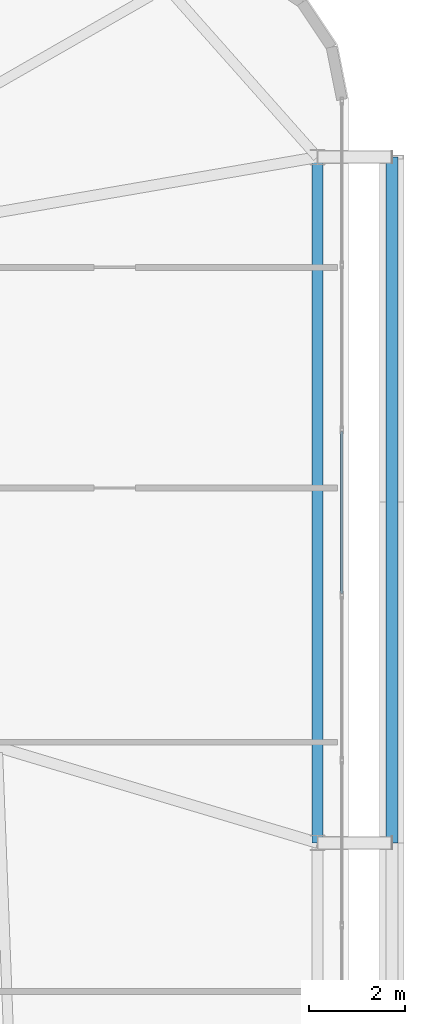
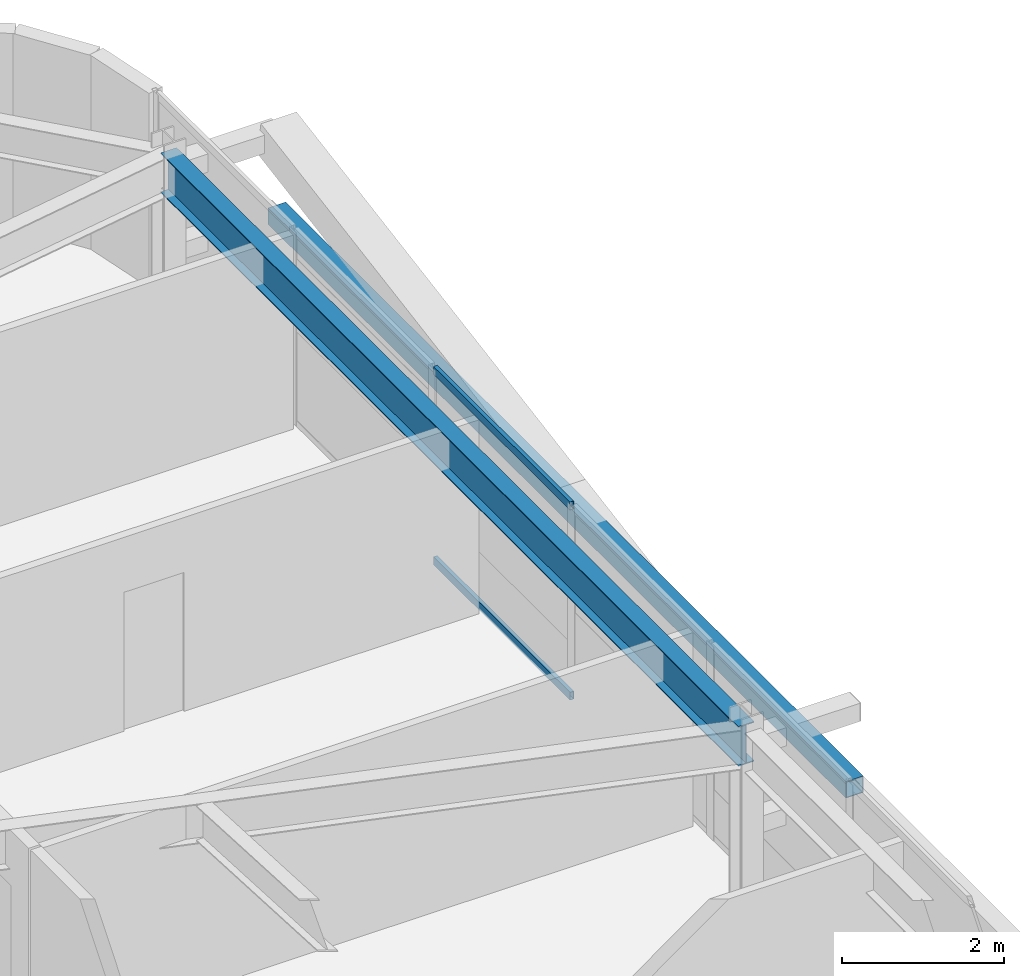
# One storey, part 31 of 58: 3 members, 1 beam, 1 element without a shape of its own.
"""IFC4 building model written with IfcOpenShell, lengths in metres."""

from ifc_helpers import new_model, si_unit, direction, frame, origin, origin_2d, place, context, subcontext, project, spatial, hollow_rectangle, i_section, extrude, source, transform, mapped, material, layer, layer_set, material_profile, profile_set, type_object, element, aggregate, save


model = new_model("IFC4")

# Units and contexts
model_context = context("Model", 3, precision=1e-05, world=origin(), true_north=direction((0.0, 1.0)))
body_context = subcontext(model_context, "Body", "Model", "MODEL_VIEW")
ifc_project = project(units=[si_unit("LENGTHUNIT", "METRE"), si_unit("AREAUNIT", "SQUARE_METRE"), si_unit("VOLUMEUNIT", "CUBIC_METRE"), si_unit("PLANEANGLEUNIT", "RADIAN"), si_unit("MASSUNIT", "GRAM", prefix="KILO")], contexts=[model_context])

# Site, building, storey
site_placement = place(None, origin())
site = spatial("IfcSite", under=ifc_project, at=site_placement, CompositionType="ELEMENT")
building_placement = place(site_placement, origin())
building = spatial("IfcBuilding", under=site, at=building_placement, Name="Taldren Reach Tower", CompositionType="ELEMENT")
storey_placement = place(building_placement, frame((0.0, 0.0, 51.449951171875)))
storey = spatial("IfcBuildingStorey", under=building, at=storey_placement, Name="L15", CompositionType="ELEMENT", Elevation=51.449951171875)

# Beam
ifc_material_1 = material(Name="Steel Gr 350 (350PLUS)", Category="steel")
ifc_material_profile_1 = material_profile(ifc_material_1, i_section(OverallWidth=0.22802734375, OverallDepth=0.60205078125, WebThickness=0.010498046875, FlangeThickness=0.014892578125, at=origin_2d()), Name="610UB101")
ifc_profile_set_1 = profile_set([ifc_material_profile_1], Name="Steel Gr 350 (350PLUS)")
beam_type = type_object("IfcBeamType", Name="BM-UB610B", PredefinedType="BEAM", material=ifc_profile_set_1)
shared_shape_1 = source(origin(), body_context, "Body", "SweptSolid", [
    extrude(i_section(OverallWidth=0.22802734375, OverallDepth=0.60205078125, WebThickness=0.010498046875, FlangeThickness=0.014892578125, at=origin_2d()), origin(), (0.0, 0.0, 1.0), 14.300048828125),
])
beam_placement = place(storey_placement, frame((64.35009765625, 20.0, 2.629150390625), z_axis=(0.0, 1.0, 0.0), x_axis=(-1.0, 0.0, 0.0)))
element("IfcBeam", 1, at=beam_placement, inside=storey, type_object=beam_type, Name="Perimeter gable girder B1 E2-E3 L15", PredefinedType="BEAM", context=body_context, shape_type="MappedRepresentation", body=[
    mapped(shared_shape_1, transform((0.0, 0.0, 0.0), scale=1.0)),
])

# Member
ifc_material_2 = material(Name="Steel Gr 350 (C350L0)", Category="steel")
ifc_material_profile_2 = material_profile(ifc_material_2, hollow_rectangle(XDim=0.25, YDim=0.25, WallThickness=0.010009765625, at=origin_2d()), Name="250x250x10.0SHS")
ifc_profile_set_2 = profile_set([ifc_material_profile_2], Name="Steel Gr 350 (C350L0)")
member_type_1 = type_object("IfcMemberType", Name="MB-POST250", PredefinedType="POST", material=ifc_profile_set_2)
shared_shape_2 = source(origin(), body_context, "Body", "SweptSolid", [
    extrude(hollow_rectangle(XDim=0.25, YDim=0.25, WallThickness=0.010009765625, at=origin_2d()), origin(), (0.0, 0.0, 1.0), 14.300048828125),
])
member_1_placement = place(storey_placement, frame((65.89990234375, 20.0, 1.43505859375), z_axis=(0.0, 1.0, 0.0), x_axis=(-1.0, 0.0, 0.0)))
element("IfcMember", 2, at=member_1_placement, inside=storey, type_object=member_type_1, Name="Exoskeleton mid-height ring chord B1-E2 L15", PredefinedType="POST", context=body_context, shape_type="MappedRepresentation", body=[
    mapped(shared_shape_2, transform((0.0, 0.0, 0.0), scale=1.0)),
])

# Curtain wall, members
ifc_material_3 = material(Name="Aluminium and Low-E Glass Unitised System", Category="aluminium")
ifc_layer = layer(ifc_material_3, 0.159912109375)
ifc_layer_set = layer_set([ifc_layer], Name="Aluminium and Low-E Glass Unitised System")
curtain_wall_type = type_object("IfcCurtainWallType", Name="CW-SYS-2", PredefinedType="NOTDEFINED", material=ifc_layer_set)
curtain_wall_placement = place(storey_placement, origin())
curtain_wall = element("IfcCurtainWall", 3, at=curtain_wall_placement, inside=storey, type_object=curtain_wall_type, Name="Unitised curtain wall CW-L15-E", PredefinedType="NOTDEFINED")
ifc_material_4 = material(Name="Anodised Aluminium 6063-T6", Category="aluminium")
ifc_material_profile_3 = material_profile(ifc_material_4, hollow_rectangle(XDim=0.054931640625, YDim=0.1201171875, WallThickness=0.0029296875, at=origin_2d()), Name="ALU-120x55x3RHS")
ifc_profile_set_3 = profile_set([ifc_material_profile_3], Name="Anodised Aluminium 6063-T6")
member_type_2 = type_object("IfcMemberType", Name="CW-TRN-135", PredefinedType="USERDEFINED", material=ifc_profile_set_3)
shared_shape_3 = source(origin(), body_context, "Body", "SweptSolid", [
    extrude(hollow_rectangle(XDim=0.054931640625, YDim=0.1201171875, WallThickness=0.0029296875, at=origin_2d()), origin(), (0.0, 0.0, 1.0), 3.37939453125),
])
member_2_placement = place(storey_placement, frame((64.860107421875, 25.19921875, 0.027587890625), z_axis=(0.0, 1.0, 0.0), x_axis=(-1.0, 0.0, 0.0)))
member_2 = element("IfcMember", 4, at=member_2_placement, type_object=member_type_2, Name="CW-2 transom 7.1", ObjectType="TRANSOM", PredefinedType="USERDEFINED", context=body_context, shape_type="MappedRepresentation", body=[
    mapped(shared_shape_3, transform((0.0, 0.0, 0.0), scale=1.0)),
])
member_3_placement = place(storey_placement, frame((64.860107421875, 25.19921875, 2.902587890625), z_axis=(0.0, 1.0, 0.0), x_axis=(-1.0, 0.0, 0.0)))
member_3 = element("IfcMember", 5, at=member_3_placement, type_object=member_type_2, Name="CW-2 transom 7.2", ObjectType="TRANSOM", PredefinedType="USERDEFINED", context=body_context, shape_type="MappedRepresentation", body=[
    mapped(shared_shape_3, transform((0.0, 0.0, 0.0), scale=1.0)),
])
aggregate(curtain_wall, [member_2, member_3])

save(model, "model.ifc")
